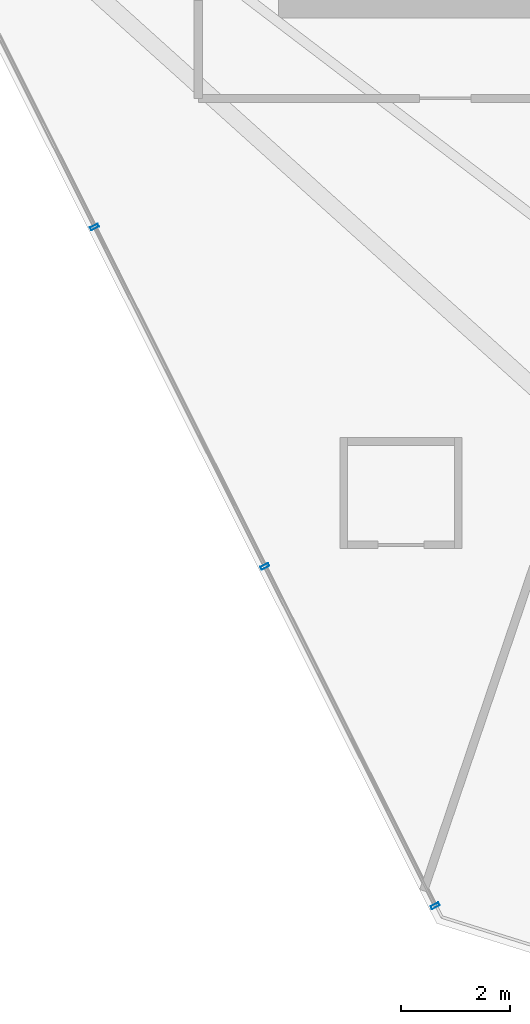
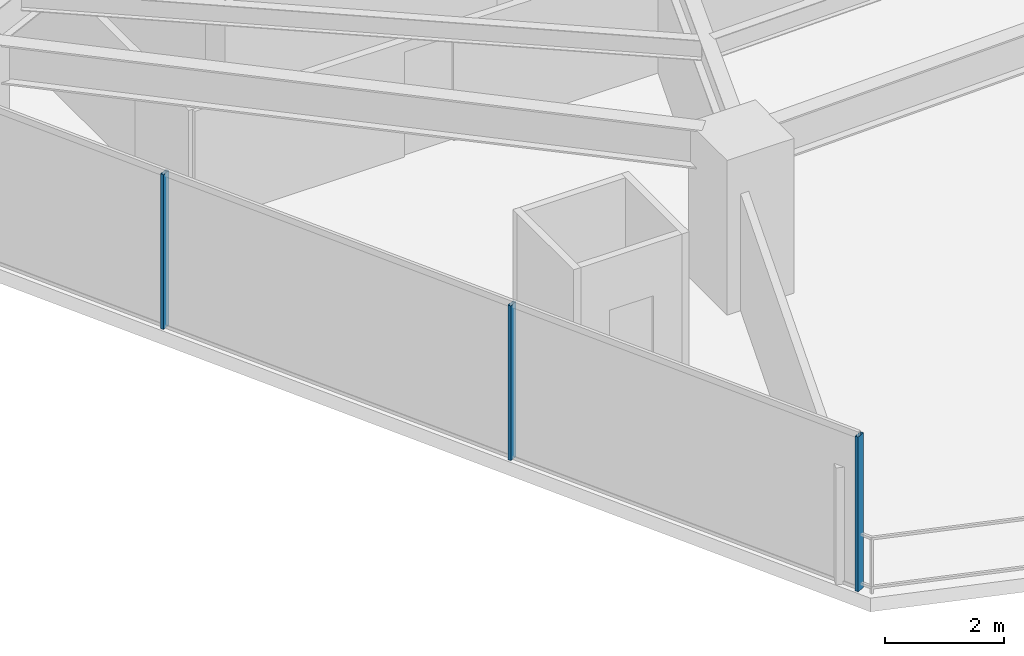
# One storey, part 3 of 28: 3 members, 1 element without a shape of its own.
"""IFC4 building model written with IfcOpenShell, lengths in metres."""

import ifcopenshell
import ifcopenshell.guid

model = None  # the IFC model being written
_history = None  # IfcOwnerHistory: only IFC2X3 demands one
_inside = {}  # id of a spatial element -> (the spatial element, [elements in it])
_under = {}  # id of a project, library or spatial element -> (it, [spatial elements below it])
_declared = {}  # id of a project -> (the project, [libraries it declares])
_typed = {}  # id of a type object -> (the type object, [elements of that type])
_made_of = {}  # id of a material, layer set ... -> (it, [elements and type objects made of it])


def new_model(schema):
    """Start an empty IFC model of exactly this schema.

    Asked for "IFC4X3", IfcOpenShell would pick the latest addendum, in which some entities
    have other attributes; the version numbers below select the first issue.
    IFC2X3 requires an IfcOwnerHistory on every rooted entity: one is made here for all.
    """
    global model, _history
    if schema == "IFC4X3":
        model = ifcopenshell.file(schema_version=(4, 3, 0, 0))
    else:
        model = ifcopenshell.file(schema=schema)
    _inside.clear()
    _under.clear()
    _declared.clear()
    _typed.clear()
    _made_of.clear()
    _history = None
    if model.schema == "IFC2X3":
        org = make("IfcOrganization", Name="unknown")
        user = make(
            "IfcPersonAndOrganization",
            ThePerson=make("IfcPerson", FamilyName="unknown"),
            TheOrganization=org,
        )
        app = make(
            "IfcApplication",
            ApplicationDeveloper=org,
            Version="unknown",
            ApplicationFullName="unknown",
            ApplicationIdentifier="unknown",
        )
        _history = make(
            "IfcOwnerHistory",
            OwningUser=user,
            OwningApplication=app,
            ChangeAction="ADDED",
            CreationDate=0,
        )
    return model


def make(cls, **values):
    """One entity of the class cls with the attributes given. An attribute that is None is left unset."""
    return model.create_entity(
        cls, **{name: value for name, value in values.items() if value is not None}
    )


def rooted(cls, **values):
    """An entity with a GlobalId (a new one), such as an element, a storey or a relation."""
    return make(cls, GlobalId=ifcopenshell.guid.new(), OwnerHistory=_history, **values)


def si_unit(unit_type, name, prefix=None):
    """IfcSIUnit, for example si_unit("LENGTHUNIT", "METRE", prefix="MILLI")."""
    return make("IfcSIUnit", UnitType=unit_type, Prefix=prefix, Name=name)


def assignment(units):
    """IfcUnitAssignment: the units of a project."""
    return None if units is None else make("IfcUnitAssignment", Units=units)


def point(xyz):
    """IfcCartesianPoint."""
    return None if xyz is None else make("IfcCartesianPoint", Coordinates=xyz)


def direction(xyz):
    """IfcDirection."""
    return None if xyz is None else make("IfcDirection", DirectionRatios=xyz)


def frame(location, z_axis=None, x_axis=None):
    """IfcAxis2Placement3D, a coordinate frame: its origin and axes. An axis left out is left unset."""
    return make(
        "IfcAxis2Placement3D",
        Location=point(location),
        Axis=direction(z_axis),
        RefDirection=direction(x_axis),
    )


def frame_2d(location, x_axis=None):
    """IfcAxis2Placement2D, a coordinate frame in the plane: its origin and x axis."""
    return make(
        "IfcAxis2Placement2D", Location=point(location), RefDirection=direction(x_axis)
    )


def origin():
    """The frame at (0, 0, 0) with its axes left unset."""
    return frame((0.0, 0.0, 0.0))


def origin_2d():
    """The frame at (0, 0) in the plane with its x axis left unset."""
    return frame_2d((0.0, 0.0))


def place(relative_to, where):
    """IfcLocalPlacement: puts the frame where relative to a parent placement (None: the world)."""
    return make(
        "IfcLocalPlacement", PlacementRelTo=relative_to, RelativePlacement=where
    )


def context(
    kind, dimensions, precision=None, world=None, true_north=None, identifier=None
):
    """IfcGeometricRepresentationContext, for example the 3D "Model" context."""
    return make(
        "IfcGeometricRepresentationContext",
        ContextIdentifier=identifier,
        ContextType=kind,
        CoordinateSpaceDimension=dimensions,
        Precision=precision,
        WorldCoordinateSystem=world,
        TrueNorth=true_north,
    )


def subcontext(parent, identifier, kind, view, scale=None):
    """IfcGeometricRepresentationSubContext, for example "Body" below "Model"."""
    return make(
        "IfcGeometricRepresentationSubContext",
        ContextIdentifier=identifier,
        ContextType=kind,
        ParentContext=parent,
        TargetScale=scale,
        TargetView=view,
    )


def project(units=None, contexts=None):
    """IfcProject with its units and contexts."""
    return rooted(
        "IfcProject",
        Name="project",
        RepresentationContexts=contexts,
        UnitsInContext=assignment(units),
    )


def spatial(cls, under=None, at=None, **own):
    """A site, building, storey or space (cls), placed at a placement, below another one or the project."""
    s = rooted(cls, ObjectPlacement=at, **own)
    if under is not None:
        _under.setdefault(under.id(), (under, []))[1].append(s)
    return s


def profile(cls, at=None, kind="AREA", **sizes):
    """A parametric profile (cls). Its sizes go by their IFC names, for example OverallWidth=200.0."""
    return make(cls, ProfileType=kind, Position=at, **sizes)


def hollow_rectangle(**sizes):
    """IfcRectangleHollowProfileDef."""
    return profile("IfcRectangleHollowProfileDef", **sizes)


def extrude(swept, where, along, depth):
    """IfcExtrudedAreaSolid: the profile swept, set in the frame where, extruded along a direction by depth."""
    return make(
        "IfcExtrudedAreaSolid",
        SweptArea=swept,
        Position=where,
        ExtrudedDirection=direction(along),
        Depth=depth,
    )


def shape(context_of_items, identifier, shape_type, items):
    """IfcShapeRepresentation: the items that make up one representation, for example the "Body"."""
    return make(
        "IfcShapeRepresentation",
        ContextOfItems=context_of_items,
        RepresentationIdentifier=identifier,
        RepresentationType=shape_type,
        Items=items,
    )


def material(Name=None, Category=None):
    """IfcMaterial."""
    return make("IfcMaterial", Name=Name, Category=Category)


def layer(
    of_material, thickness, ventilated=None, Name=None, Category=None, Priority=None
):
    """IfcMaterialLayer: one layer of a wall or slab, of a material (None: an air gap)."""
    return make(
        "IfcMaterialLayer",
        Material=of_material,
        LayerThickness=thickness,
        IsVentilated=ventilated,
        Name=Name,
        Category=Category,
        Priority=Priority,
    )


def layer_set(layers, Name=None):
    """IfcMaterialLayerSet."""
    return make("IfcMaterialLayerSet", MaterialLayers=layers, LayerSetName=Name)


def material_profile(
    of_material, cross_section, Name=None, Category=None, Priority=None
):
    """IfcMaterialProfile: a cross section and its material."""
    return make(
        "IfcMaterialProfile",
        Name=Name,
        Material=of_material,
        Profile=cross_section,
        Priority=Priority,
        Category=Category,
    )


def profile_set(profiles, Name=None, composite=None):
    """IfcMaterialProfileSet."""
    return make(
        "IfcMaterialProfileSet",
        Name=Name,
        MaterialProfiles=profiles,
        CompositeProfile=composite,
    )


def made_of(thing, what):
    """Note that an element or type object is made of a material, layer set ...; save() writes the relation."""
    if what is not None:
        _made_of.setdefault(what.id(), (what, []))[1].append(thing)
    return thing


def type_object(cls, material=None, **own):
    """A type object (cls), such as IfcWallType, which elements share."""
    return made_of(rooted(cls, **own), material)


def element(
    cls,
    number,
    at=None,
    inside=None,
    cuts=None,
    type_object=None,
    material=None,
    context=None,
    identifier="Body",
    shape_type=None,
    held_by="IfcProductDefinitionShape",
    body=None,
    shapes=None,
    **own,
):
    """One element of the class cls, such as IfcWall. Its Tag is "e" and its number.

    at: its placement. inside: the storey or other place that contains it. cuts: it is an
    opening in that element (IfcRelVoidsElement). A single representation is given by context,
    identifier, shape_type and body (its items); several are given by shapes. held_by: the class
    of the entity that holds the representations. save() writes the other relations.
    """
    e = rooted(cls, Tag="e%d" % number, ObjectPlacement=at, **own)
    if body is not None:
        shapes = [shape(context, identifier, shape_type, body)]
    if shapes is not None:
        e.Representation = make(held_by, Representations=shapes)
    if inside is not None:
        _inside.setdefault(inside.id(), (inside, []))[1].append(e)
    if cuts is not None:
        rooted(
            "IfcRelVoidsElement", RelatingBuildingElement=cuts, RelatedOpeningElement=e
        )
    if type_object is not None:
        _typed.setdefault(type_object.id(), (type_object, []))[1].append(e)
    return made_of(e, material)


def aggregate(whole, parts):
    """IfcRelAggregates: a whole, such as a stair, and the parts it consists of."""
    return rooted("IfcRelAggregates", RelatingObject=whole, RelatedObjects=parts)


def save(model, path):
    """Write the relations noted so far, then the file.

    IfcRelAggregates (storeys below a building ...), IfcRelContainedInSpatialStructure (elements
    in a storey), IfcRelDefinesByType, IfcRelAssociatesMaterial and IfcRelDeclares: one each for
    every whole, place, type object, material and project.
    """
    for whole, parts in _under.values():
        aggregate(whole, parts)
    for where, things in _inside.values():
        rooted(
            "IfcRelContainedInSpatialStructure",
            RelatedElements=things,
            RelatingStructure=where,
        )
    for kind, things in _typed.values():
        rooted("IfcRelDefinesByType", RelatedObjects=things, RelatingType=kind)
    for what, things in _made_of.values():
        rooted("IfcRelAssociatesMaterial", RelatedObjects=things, RelatingMaterial=what)
    for by, libraries in _declared.values():
        rooted("IfcRelDeclares", RelatingContext=by, RelatedDefinitions=libraries)
    model.write(path)


model = new_model("IFC4")

# Units and contexts
model_context = context("Model", 3, precision=1e-05, world=origin(), true_north=direction((0.0, 1.0)))
body_context = subcontext(model_context, "Body", "Model", "MODEL_VIEW")
ifc_project = project(units=[si_unit("LENGTHUNIT", "METRE"), si_unit("AREAUNIT", "SQUARE_METRE"), si_unit("VOLUMEUNIT", "CUBIC_METRE"), si_unit("PLANEANGLEUNIT", "RADIAN"), si_unit("MASSUNIT", "GRAM", prefix="KILO")], contexts=[model_context])

# Site, building, storey
site_placement = place(None, origin())
site = spatial("IfcSite", under=ifc_project, at=site_placement, CompositionType="ELEMENT")
building_placement = place(site_placement, origin())
building = spatial("IfcBuilding", under=site, at=building_placement, Name="Qarnah Convention Tower", CompositionType="ELEMENT")
storey_placement = place(building_placement, frame((0.0, 0.0, 54.60009765625)))
storey = spatial("IfcBuildingStorey", under=building, at=storey_placement, Name="L13", CompositionType="ELEMENT", Elevation=54.60009765625)

# Curtain wall, members
ifc_material_1 = material(Name="Tempered Low-E dark glass", Category="glass")
ifc_layer = layer(ifc_material_1, 0.16796875)
ifc_layer_set = layer_set([ifc_layer], Name="Tempered Low-E dark glass")
curtain_wall_type = type_object("IfcCurtainWallType", Name="CWS-01", PredefinedType="NOTDEFINED", material=ifc_layer_set)
curtain_wall_placement = place(storey_placement, origin())
curtain_wall = element("IfcCurtainWall", 1, at=curtain_wall_placement, inside=storey, type_object=curtain_wall_type, Name="L13 unitised curtain wall CW-L13-F2", PredefinedType="NOTDEFINED")
ifc_material_2 = material(Name="Black anodised aluminium", Category="aluminium")
ifc_material_profile = material_profile(ifc_material_2, hollow_rectangle(XDim=0.06005859375, YDim=0.159912109375, WallThickness=0.00390625, at=origin_2d()), Name="MUL-60X160")
ifc_profile_set = profile_set([ifc_material_profile], Name="Black anodised aluminium")
member_type = type_object("IfcMemberType", Name="MUL-T1", PredefinedType="MULLION", material=ifc_profile_set)
member_1_placement = place(storey_placement, frame((29.35205078125, 1.9619140625, 0.0), z_axis=(0.0, 0.0, 1.0), x_axis=(-0.448382607671, 0.893841729356, 0.0)))
member_1 = element("IfcMember", 2, at=member_1_placement, type_object=member_type, Name="CW-L13-F2 mullion 1", PredefinedType="MULLION", context=body_context, shape_type="SweptSolid", body=[
    extrude(hollow_rectangle(XDim=0.06005859375, YDim=0.159912109375, WallThickness=0.00390625, at=origin_2d()), origin(), (0.0, 0.0, 1.0), 3.169921875),
])
member_2_placement = place(storey_placement, frame((26.22314453125, 8.19921875, 0.0), z_axis=(0.0, 0.0, 1.0), x_axis=(-0.448382607671, 0.893841729356, 0.0)))
member_2 = element("IfcMember", 3, at=member_2_placement, type_object=member_type, Name="CW-L13-F2 mullion 2", PredefinedType="MULLION", context=body_context, shape_type="SweptSolid", body=[
    extrude(hollow_rectangle(XDim=0.06005859375, YDim=0.159912109375, WallThickness=0.00390625, at=origin_2d()), origin(), (0.0, 0.0, 1.0), 3.169921875),
])
member_3_placement = place(storey_placement, frame((23.094482421875, 14.436279296875, 0.0), z_axis=(0.0, 0.0, 1.0), x_axis=(-0.448382607671, 0.893841729356, 0.0)))
member_3 = element("IfcMember", 4, at=member_3_placement, type_object=member_type, Name="CW-L13-F2 mullion 3", PredefinedType="MULLION", context=body_context, shape_type="SweptSolid", body=[
    extrude(hollow_rectangle(XDim=0.06005859375, YDim=0.159912109375, WallThickness=0.00390625, at=origin_2d()), origin(), (0.0, 0.0, 1.0), 3.169921875),
])
aggregate(curtain_wall, [member_1, member_2, member_3])

save(model, "model.ifc")
